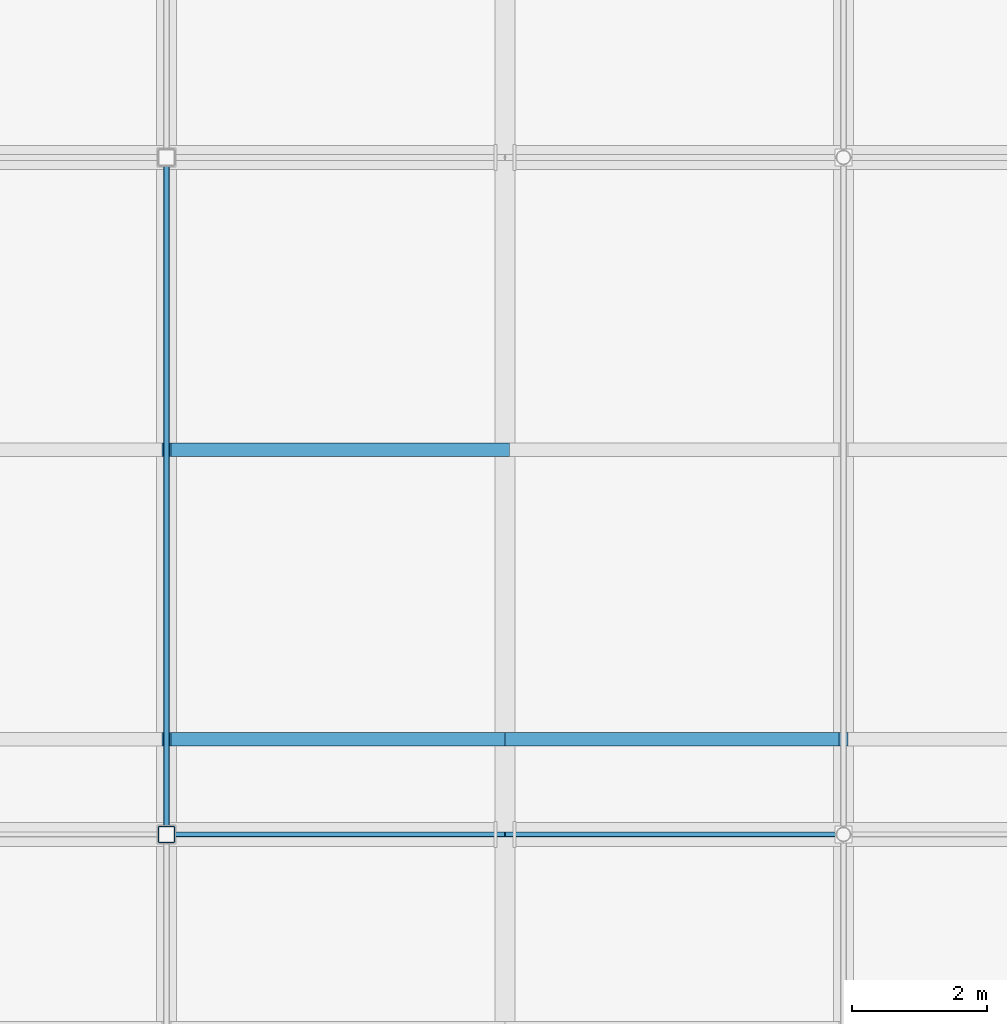
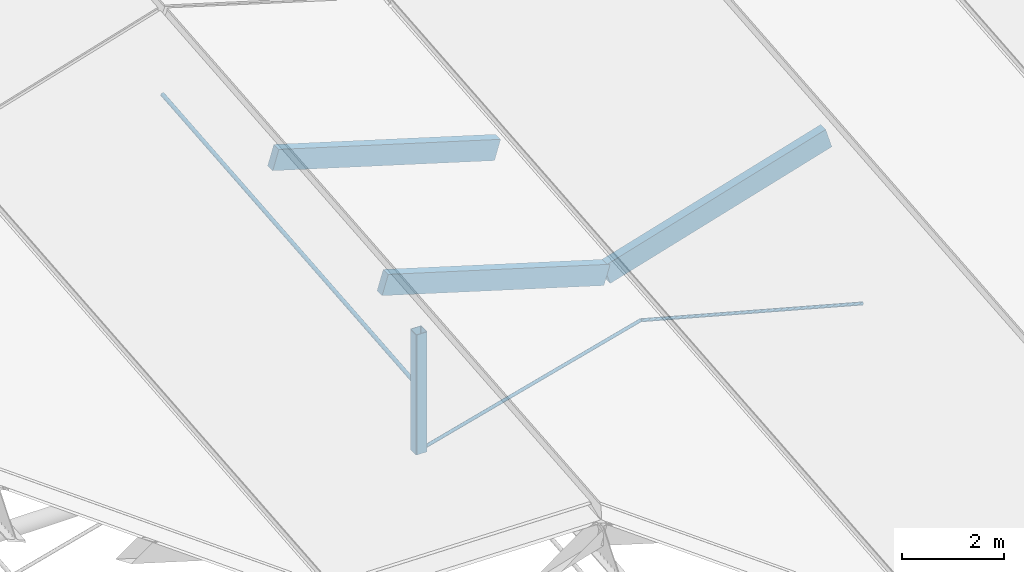
# One storey, part 31 of 90: 7 members.
"""IFC4 building model written with IfcOpenShell, lengths in metres."""

from ifc_helpers import new_model, si_unit, direction, frame, origin, origin_2d, place, context, subcontext, project, spatial, rectangle, hollow_rectangle, circle, extrude, material, material_profile, profile_set, type_object, element, save


model = new_model("IFC4")

# Units and contexts
model_context = context("Model", 3, precision=1e-05, world=origin(), true_north=direction((0.0, 1.0)))
body_context = subcontext(model_context, "Body", "Model", "MODEL_VIEW")
ifc_project = project(units=[si_unit("LENGTHUNIT", "METRE"), si_unit("AREAUNIT", "SQUARE_METRE"), si_unit("VOLUMEUNIT", "CUBIC_METRE"), si_unit("PLANEANGLEUNIT", "RADIAN"), si_unit("MASSUNIT", "GRAM", prefix="KILO"), si_unit("THERMODYNAMICTEMPERATUREUNIT", "KELVIN"), si_unit("POWERUNIT", "WATT")], contexts=[model_context])

# Site, building, storey
site_placement = place(None, origin())
site = spatial("IfcSite", under=ifc_project, at=site_placement, CompositionType="ELEMENT")
building_placement = place(site_placement, origin())
building = spatial("IfcBuilding", under=site, at=building_placement, Name="Korenveer Ferry Terminal", CompositionType="ELEMENT")
storey_placement = place(building_placement, frame((0.0, 0.0, 22.199951171875)))
storey = spatial("IfcBuildingStorey", under=building, at=storey_placement, Name="RF", CompositionType="ELEMENT", Elevation=22.199951171875)

# Members
ifc_material_1 = material(Name="High-strength steel S460", Category="steel")
ifc_material_profile_1 = material_profile(ifc_material_1, circle(Radius=0.0380859375, at=origin_2d()), Name="ROD D76")
ifc_profile_set_1 = profile_set([ifc_material_profile_1], Name="High-strength steel S460")
member_type_1 = type_object("IfcMemberType", Name="STR-CBL-D76", PredefinedType="USERDEFINED", material=ifc_profile_set_1)
for number, where, z_axis, x_axis, name in (
    (1, (93.0, 70.0, -6.861572265625), (-0.965424337217, 0.0, -0.260683426993), (0.0, -1.0, 0.0), "Roof tension tie cable 50"),
    (2, (93.0, 70.0, -6.861572265625), (0.965424337217, 0.0, -0.260683426993), (0.0, 1.0, 0.0), "Roof tension tie cable 51"),
):
    element("IfcMember", number, at=place(storey_placement, frame(where, z_axis=z_axis, x_axis=x_axis)), inside=storey, type_object=member_type_1, Name=name, ObjectType="CABLE", PredefinedType="USERDEFINED", context=body_context, shape_type="SweptSolid", body=[
        extrude(circle(Radius=0.0380859375, at=origin_2d()), origin(), (0.0, 0.0, 1.0), 5.178955078125),
    ])
ifc_material_profile_2 = material_profile(ifc_material_1, circle(Radius=0.044921875, at=origin_2d()), Name="ROD D90")
ifc_profile_set_2 = profile_set([ifc_material_profile_2], Name="High-strength steel S460")
member_type_2 = type_object("IfcMemberType", Name="STR-CBL-D90", PredefinedType="USERDEFINED", material=ifc_profile_set_2)
member_1_placement = place(storey_placement, frame((88.0, 70.0, -6.701904296875), z_axis=(0.0, 0.995903364261, 0.090423940715), x_axis=(-1.0, 0.0, 0.0)))
element("IfcMember", 3, at=member_1_placement, inside=storey, type_object=member_type_2, Name="Longitudinal jaw-stay cable 116", ObjectType="CABLE", PredefinedType="USERDEFINED", context=body_context, shape_type="SweptSolid", body=[
    extrude(circle(Radius=0.044921875, at=origin_2d()), origin(), (0.0, 0.0, 1.0), 10.041015625),
])
ifc_material_2 = material(Name="Glulam GL28h", Category="wood")
ifc_material_profile_3 = material_profile(ifc_material_2, rectangle(XDim=0.199951171875, YDim=0.47998046875, at=origin_2d()), Name="GL 200x480")
ifc_profile_set_3 = profile_set([ifc_material_profile_3], Name="Glulam GL28h")
member_type_3 = type_object("IfcMemberType", Name="STR-PUR-GL200", PredefinedType="PURLIN", material=ifc_profile_set_3)
for number, where, z_axis, x_axis, name in (
    (4, (88.0, 71.4072265625, -5.06591796875), (0.957323074362, 0.0, -0.289019949647), (0.0, 1.0, 0.0), "Folded roof glulam purlin 131"),
    (5, (88.0, 75.678466796875, -4.677978515625), (0.957310140112, 0.0, -0.289062788401), (0.0, 1.0, 0.0), "Folded roof glulam purlin 132"),
    (6, (93.0, 71.4072265625, -6.575439453125), (0.957323074362, 0.0, 0.289019949647), (0.0, 1.0, 0.0), "Folded roof glulam purlin 161"),
):
    element("IfcMember", number, at=place(storey_placement, frame(where, z_axis=z_axis, x_axis=x_axis)), inside=storey, type_object=member_type_3, Name=name, PredefinedType="PURLIN", context=body_context, shape_type="SweptSolid", body=[
        extrude(rectangle(XDim=0.199951171875, YDim=0.47998046875, at=origin_2d()), origin(), (0.0, 0.0, 1.0), 5.222900390625),
    ])
ifc_material_3 = material(Name="Steel S355", Category="steel")
ifc_material_profile_4 = material_profile(ifc_material_3, hollow_rectangle(XDim=0.25, YDim=0.25, WallThickness=0.012451171875, InnerFilletRadius=0.012451171875, OuterFilletRadius=0.018798828125, at=origin_2d()), Name="SHS 250x250x12.5")
ifc_profile_set_4 = profile_set([ifc_material_profile_4], Name="Steel S355")
member_type_4 = type_object("IfcMemberType", Name="STR-STT-SHS250", PredefinedType="STRUT", material=ifc_profile_set_4)
member_2_placement = place(storey_placement, frame((88.0, 70.0, -8.211669921875), z_axis=(0.0, 0.0, 1.0), x_axis=(1.0, 0.0, 0.0)))
element("IfcMember", 7, at=member_2_placement, inside=storey, type_object=member_type_4, Name="Roof king-post strut STTKP-Y70-B3", PredefinedType="STRUT", context=body_context, shape_type="SweptSolid", body=[
    extrude(hollow_rectangle(XDim=0.25, YDim=0.25, WallThickness=0.012451171875, InnerFilletRadius=0.012451171875, OuterFilletRadius=0.018798828125, at=origin_2d()), origin(), (0.0, 0.0, 1.0), 2.859619140625),
])

save(model, "model.ifc")
